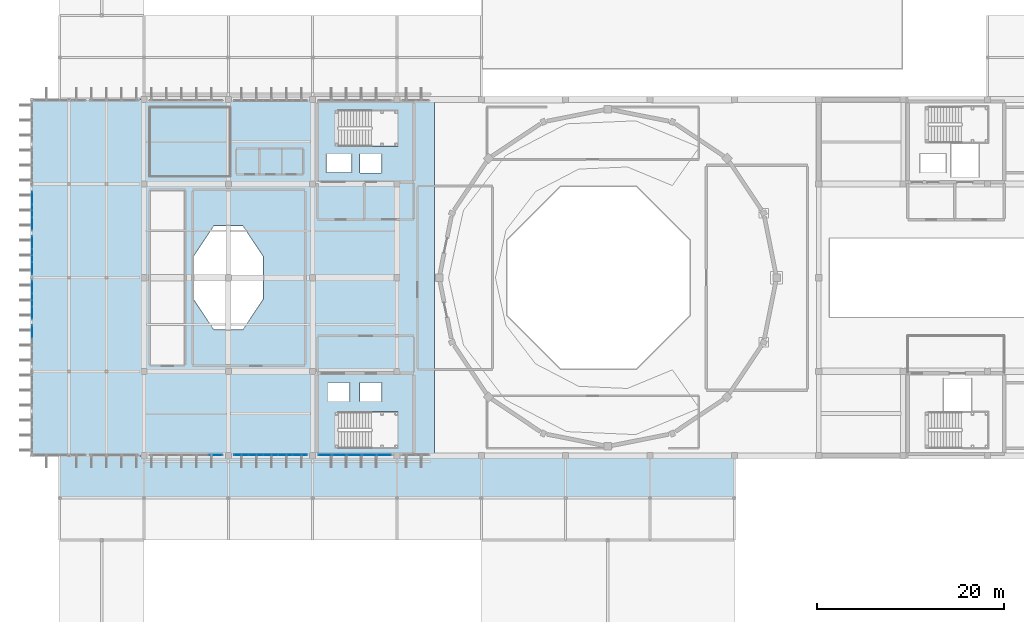
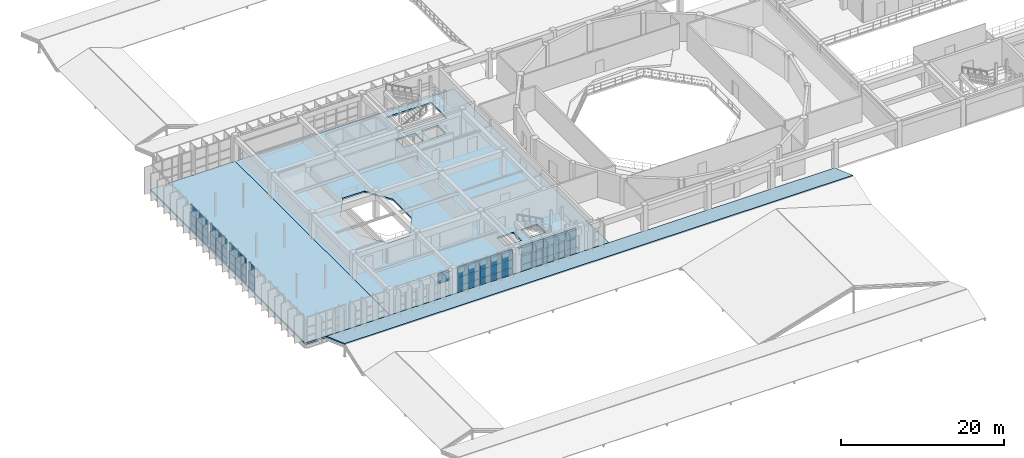
# One storey, part 61 of 80: 61 plates, 3 slabs, 7 elements without a shape of their own.
"""IFC4 building model written with IfcOpenShell, lengths in metres."""

from ifc_helpers import new_model, si_unit, direction, frame, origin, origin_2d, place, context, subcontext, project, spatial, polyline, rectangle, outline, extrude, material, layer, layer_set, type_object, element, aggregate, save


model = new_model("IFC4")

# Units and contexts
model_context = context("Model", 3, precision=1e-05, world=origin(), true_north=direction((0.0, 1.0)))
body_context = subcontext(model_context, "Body", "Model", "MODEL_VIEW")
ifc_project = project(units=[si_unit("LENGTHUNIT", "METRE"), si_unit("AREAUNIT", "SQUARE_METRE"), si_unit("VOLUMEUNIT", "CUBIC_METRE"), si_unit("PLANEANGLEUNIT", "RADIAN"), si_unit("MASSUNIT", "GRAM", prefix="KILO")], contexts=[model_context])

# Site, building, storey
site_placement = place(None, origin())
site = spatial("IfcSite", under=ifc_project, at=site_placement, CompositionType="ELEMENT")
building_placement = place(site_placement, origin())
building = spatial("IfcBuilding", under=site, at=building_placement, Name="Miravela Opera House", CompositionType="ELEMENT")
storey_placement = place(building_placement, frame((0.0, 0.0, 17.679931640625)))
storey = spatial("IfcBuildingStorey", under=building, at=storey_placement, Name="L04", CompositionType="ELEMENT", Elevation=17.679931640625)

# Curtain wall, plates
ifc_material_1 = material(Name="Anodised architectural bronze aluminium 6063-T6", Category="aluminium")
curtain_wall_type = type_object("IfcCurtainWallType", Name="ARC-CW-02", PredefinedType="NOTDEFINED", material=ifc_material_1)
curtain_wall_1_placement = place(storey_placement, origin())
curtain_wall_1 = element("IfcCurtainWall", 1, at=curtain_wall_1_placement, inside=storey, type_object=curtain_wall_type, Name="Cantilever West Wrapper Glazing B3 CW-L04-029", PredefinedType="NOTDEFINED")
ifc_material_2 = material(Name="Triple-glazed acoustic laminated low-E glass", Category="glass")
ifc_layer_1 = layer(ifc_material_2, 0.035888671875)
ifc_layer_set_1 = layer_set([ifc_layer_1])
plate_type = type_object("IfcPlateType", Name="ARC-CWP-36", PredefinedType="CURTAIN_PANEL", material=ifc_layer_set_1)
plate_1_placement = place(storey_placement, frame((15.080078125, 50.25537109375, 0.06494140625), z_axis=(0.0, 0.0, 1.0), x_axis=(0.0, 1.0, 0.0)))
plate_1 = element("IfcPlate", 2, at=plate_1_placement, type_object=plate_type, Name="CW-02 panel 3.1", PredefinedType="CURTAIN_PANEL", context=body_context, shape_type="SweptSolid", body=[
    extrude(rectangle(XDim=1.299072265625, YDim=0.035888671875, at=origin_2d()), origin(), (0.0, 0.0, 1.0), 0.8525390625),
])
plate_2_placement = place(storey_placement, frame((15.080078125, 50.25537109375, 0.982421875), z_axis=(0.0, 0.0, 1.0), x_axis=(0.0, 1.0, 0.0)))
plate_2 = element("IfcPlate", 3, at=plate_2_placement, type_object=plate_type, Name="CW-02 panel 3.2", PredefinedType="CURTAIN_PANEL", context=body_context, shape_type="SweptSolid", body=[
    extrude(rectangle(XDim=1.299072265625, YDim=0.035888671875, at=origin_2d()), origin(), (0.0, 0.0, 1.0), 1.20068359375),
])
plate_3_placement = place(storey_placement, frame((15.080078125, 50.25537109375, 2.248291015625), z_axis=(0.0, 0.0, 1.0), x_axis=(0.0, 1.0, 0.0)))
plate_3 = element("IfcPlate", 4, at=plate_3_placement, type_object=plate_type, Name="CW-02 panel 3.3", PredefinedType="CURTAIN_PANEL", context=body_context, shape_type="SweptSolid", body=[
    extrude(rectangle(XDim=1.299072265625, YDim=0.035888671875, at=origin_2d()), origin(), (0.0, 0.0, 1.0), 1.5068359375),
])
aggregate(curtain_wall_1, [plate_1, plate_2, plate_3])

curtain_wall_2_placement = place(storey_placement, origin())
curtain_wall_2 = element("IfcCurtainWall", 5, at=curtain_wall_2_placement, inside=storey, type_object=curtain_wall_type, Name="Cantilever West Wrapper Glazing B4 CW-L04-030", PredefinedType="NOTDEFINED")
plate_4_placement = place(storey_placement, frame((15.080078125, 52.24462890625, 0.06494140625), z_axis=(0.0, 0.0, 1.0), x_axis=(0.0, 1.0, 0.0)))
plate_4 = element("IfcPlate", 6, at=plate_4_placement, type_object=plate_type, Name="CW-02 panel 1.1", PredefinedType="CURTAIN_PANEL", context=body_context, shape_type="SweptSolid", body=[
    extrude(rectangle(XDim=1.299072265625, YDim=0.035888671875, at=origin_2d()), origin(), (0.0, 0.0, 1.0), 0.8525390625),
])
plate_5_placement = place(storey_placement, frame((15.080078125, 52.24462890625, 0.982421875), z_axis=(0.0, 0.0, 1.0), x_axis=(0.0, 1.0, 0.0)))
plate_5 = element("IfcPlate", 7, at=plate_5_placement, type_object=plate_type, Name="CW-02 panel 1.2", PredefinedType="CURTAIN_PANEL", context=body_context, shape_type="SweptSolid", body=[
    extrude(rectangle(XDim=1.299072265625, YDim=0.035888671875, at=origin_2d()), origin(), (0.0, 0.0, 1.0), 1.20068359375),
])
plate_6_placement = place(storey_placement, frame((15.080078125, 52.24462890625, 2.248291015625), z_axis=(0.0, 0.0, 1.0), x_axis=(0.0, 1.0, 0.0)))
plate_6 = element("IfcPlate", 8, at=plate_6_placement, type_object=plate_type, Name="CW-02 panel 1.3", PredefinedType="CURTAIN_PANEL", context=body_context, shape_type="SweptSolid", body=[
    extrude(rectangle(XDim=1.299072265625, YDim=0.035888671875, at=origin_2d()), origin(), (0.0, 0.0, 1.0), 1.5068359375),
])
plate_7_placement = place(storey_placement, frame((15.080078125, 53.625, 0.06494140625), z_axis=(0.0, 0.0, 1.0), x_axis=(0.0, 1.0, 0.0)))
plate_7 = element("IfcPlate", 9, at=plate_7_placement, type_object=plate_type, Name="CW-02 panel 2.1", PredefinedType="CURTAIN_PANEL", context=body_context, shape_type="SweptSolid", body=[
    extrude(rectangle(XDim=1.331787109375, YDim=0.035888671875, at=origin_2d()), origin(), (0.0, 0.0, 1.0), 0.8525390625),
])
plate_8_placement = place(storey_placement, frame((15.080078125, 53.625, 0.982421875), z_axis=(0.0, 0.0, 1.0), x_axis=(0.0, 1.0, 0.0)))
plate_8 = element("IfcPlate", 10, at=plate_8_placement, type_object=plate_type, Name="CW-02 panel 2.2", PredefinedType="CURTAIN_PANEL", context=body_context, shape_type="SweptSolid", body=[
    extrude(rectangle(XDim=1.331787109375, YDim=0.035888671875, at=origin_2d()), origin(), (0.0, 0.0, 1.0), 1.20068359375),
])
plate_9_placement = place(storey_placement, frame((15.080078125, 53.625, 2.248291015625), z_axis=(0.0, 0.0, 1.0), x_axis=(0.0, 1.0, 0.0)))
plate_9 = element("IfcPlate", 11, at=plate_9_placement, type_object=plate_type, Name="CW-02 panel 2.3", PredefinedType="CURTAIN_PANEL", context=body_context, shape_type="SweptSolid", body=[
    extrude(rectangle(XDim=1.331787109375, YDim=0.035888671875, at=origin_2d()), origin(), (0.0, 0.0, 1.0), 1.5068359375),
])
plate_10_placement = place(storey_placement, frame((15.080078125, 55.00537109375, 0.06494140625), z_axis=(0.0, 0.0, 1.0), x_axis=(0.0, 1.0, 0.0)))
plate_10 = element("IfcPlate", 12, at=plate_10_placement, type_object=plate_type, Name="CW-02 panel 3.1", PredefinedType="CURTAIN_PANEL", context=body_context, shape_type="SweptSolid", body=[
    extrude(rectangle(XDim=1.299072265625, YDim=0.035888671875, at=origin_2d()), origin(), (0.0, 0.0, 1.0), 0.8525390625),
])
plate_11_placement = place(storey_placement, frame((15.080078125, 55.00537109375, 0.982421875), z_axis=(0.0, 0.0, 1.0), x_axis=(0.0, 1.0, 0.0)))
plate_11 = element("IfcPlate", 13, at=plate_11_placement, type_object=plate_type, Name="CW-02 panel 3.2", PredefinedType="CURTAIN_PANEL", context=body_context, shape_type="SweptSolid", body=[
    extrude(rectangle(XDim=1.299072265625, YDim=0.035888671875, at=origin_2d()), origin(), (0.0, 0.0, 1.0), 1.20068359375),
])
plate_12_placement = place(storey_placement, frame((15.080078125, 55.00537109375, 2.248291015625), z_axis=(0.0, 0.0, 1.0), x_axis=(0.0, 1.0, 0.0)))
plate_12 = element("IfcPlate", 14, at=plate_12_placement, type_object=plate_type, Name="CW-02 panel 3.3", PredefinedType="CURTAIN_PANEL", context=body_context, shape_type="SweptSolid", body=[
    extrude(rectangle(XDim=1.299072265625, YDim=0.035888671875, at=origin_2d()), origin(), (0.0, 0.0, 1.0), 1.5068359375),
])
aggregate(curtain_wall_2, [plate_4, plate_5, plate_6, plate_7, plate_8, plate_9, plate_10, plate_11, plate_12])

curtain_wall_3_placement = place(storey_placement, origin())
curtain_wall_3 = element("IfcCurtainWall", 15, at=curtain_wall_3_placement, inside=storey, type_object=curtain_wall_type, Name="Cantilever West Wrapper Glazing B5 CW-L04-031", PredefinedType="NOTDEFINED")
plate_13_placement = place(storey_placement, frame((15.080078125, 56.99462890625, 0.06494140625), z_axis=(0.0, 0.0, 1.0), x_axis=(0.0, 1.0, 0.0)))
plate_13 = element("IfcPlate", 16, at=plate_13_placement, type_object=plate_type, Name="CW-02 panel 1.1", PredefinedType="CURTAIN_PANEL", context=body_context, shape_type="SweptSolid", body=[
    extrude(rectangle(XDim=1.299072265625, YDim=0.035888671875, at=origin_2d()), origin(), (0.0, 0.0, 1.0), 0.8525390625),
])
plate_14_placement = place(storey_placement, frame((15.080078125, 56.99462890625, 0.982421875), z_axis=(0.0, 0.0, 1.0), x_axis=(0.0, 1.0, 0.0)))
plate_14 = element("IfcPlate", 17, at=plate_14_placement, type_object=plate_type, Name="CW-02 panel 1.2", PredefinedType="CURTAIN_PANEL", context=body_context, shape_type="SweptSolid", body=[
    extrude(rectangle(XDim=1.299072265625, YDim=0.035888671875, at=origin_2d()), origin(), (0.0, 0.0, 1.0), 1.20068359375),
])
plate_15_placement = place(storey_placement, frame((15.080078125, 56.99462890625, 2.248291015625), z_axis=(0.0, 0.0, 1.0), x_axis=(0.0, 1.0, 0.0)))
plate_15 = element("IfcPlate", 18, at=plate_15_placement, type_object=plate_type, Name="CW-02 panel 1.3", PredefinedType="CURTAIN_PANEL", context=body_context, shape_type="SweptSolid", body=[
    extrude(rectangle(XDim=1.299072265625, YDim=0.035888671875, at=origin_2d()), origin(), (0.0, 0.0, 1.0), 1.5068359375),
])
plate_16_placement = place(storey_placement, frame((15.080078125, 58.375, 0.06494140625), z_axis=(0.0, 0.0, 1.0), x_axis=(0.0, 1.0, 0.0)))
plate_16 = element("IfcPlate", 19, at=plate_16_placement, type_object=plate_type, Name="CW-02 panel 2.1", PredefinedType="CURTAIN_PANEL", context=body_context, shape_type="SweptSolid", body=[
    extrude(rectangle(XDim=1.331787109375, YDim=0.035888671875, at=origin_2d()), origin(), (0.0, 0.0, 1.0), 0.8525390625),
])
plate_17_placement = place(storey_placement, frame((15.080078125, 58.375, 0.982421875), z_axis=(0.0, 0.0, 1.0), x_axis=(0.0, 1.0, 0.0)))
plate_17 = element("IfcPlate", 20, at=plate_17_placement, type_object=plate_type, Name="CW-02 panel 2.2", PredefinedType="CURTAIN_PANEL", context=body_context, shape_type="SweptSolid", body=[
    extrude(rectangle(XDim=1.331787109375, YDim=0.035888671875, at=origin_2d()), origin(), (0.0, 0.0, 1.0), 1.20068359375),
])
plate_18_placement = place(storey_placement, frame((15.080078125, 58.375, 2.248291015625), z_axis=(0.0, 0.0, 1.0), x_axis=(0.0, 1.0, 0.0)))
plate_18 = element("IfcPlate", 21, at=plate_18_placement, type_object=plate_type, Name="CW-02 panel 2.3", PredefinedType="CURTAIN_PANEL", context=body_context, shape_type="SweptSolid", body=[
    extrude(rectangle(XDim=1.331787109375, YDim=0.035888671875, at=origin_2d()), origin(), (0.0, 0.0, 1.0), 1.5068359375),
])
plate_19_placement = place(storey_placement, frame((15.080078125, 59.75537109375, 0.06494140625), z_axis=(0.0, 0.0, 1.0), x_axis=(0.0, 1.0, 0.0)))
plate_19 = element("IfcPlate", 22, at=plate_19_placement, type_object=plate_type, Name="CW-02 panel 3.1", PredefinedType="CURTAIN_PANEL", context=body_context, shape_type="SweptSolid", body=[
    extrude(rectangle(XDim=1.299072265625, YDim=0.035888671875, at=origin_2d()), origin(), (0.0, 0.0, 1.0), 0.8525390625),
])
plate_20_placement = place(storey_placement, frame((15.080078125, 59.75537109375, 0.982421875), z_axis=(0.0, 0.0, 1.0), x_axis=(0.0, 1.0, 0.0)))
plate_20 = element("IfcPlate", 23, at=plate_20_placement, type_object=plate_type, Name="CW-02 panel 3.2", PredefinedType="CURTAIN_PANEL", context=body_context, shape_type="SweptSolid", body=[
    extrude(rectangle(XDim=1.299072265625, YDim=0.035888671875, at=origin_2d()), origin(), (0.0, 0.0, 1.0), 1.20068359375),
])
plate_21_placement = place(storey_placement, frame((15.080078125, 59.75537109375, 2.248291015625), z_axis=(0.0, 0.0, 1.0), x_axis=(0.0, 1.0, 0.0)))
plate_21 = element("IfcPlate", 24, at=plate_21_placement, type_object=plate_type, Name="CW-02 panel 3.3", PredefinedType="CURTAIN_PANEL", context=body_context, shape_type="SweptSolid", body=[
    extrude(rectangle(XDim=1.299072265625, YDim=0.035888671875, at=origin_2d()), origin(), (0.0, 0.0, 1.0), 1.5068359375),
])
aggregate(curtain_wall_3, [plate_13, plate_14, plate_15, plate_16, plate_17, plate_18, plate_19, plate_20, plate_21])

curtain_wall_4_placement = place(storey_placement, origin())
curtain_wall_4 = element("IfcCurtainWall", 25, at=curtain_wall_4_placement, inside=storey, type_object=curtain_wall_type, Name="Cantilever West Wrapper Glazing B6 CW-L04-032", PredefinedType="NOTDEFINED")
plate_22_placement = place(storey_placement, frame((15.080078125, 61.74462890625, 0.06494140625), z_axis=(0.0, 0.0, 1.0), x_axis=(0.0, 1.0, 0.0)))
plate_22 = element("IfcPlate", 26, at=plate_22_placement, type_object=plate_type, Name="CW-02 panel 1.1", PredefinedType="CURTAIN_PANEL", context=body_context, shape_type="SweptSolid", body=[
    extrude(rectangle(XDim=1.299072265625, YDim=0.035888671875, at=origin_2d()), origin(), (0.0, 0.0, 1.0), 0.8525390625),
])
plate_23_placement = place(storey_placement, frame((15.080078125, 61.74462890625, 0.982421875), z_axis=(0.0, 0.0, 1.0), x_axis=(0.0, 1.0, 0.0)))
plate_23 = element("IfcPlate", 27, at=plate_23_placement, type_object=plate_type, Name="CW-02 panel 1.2", PredefinedType="CURTAIN_PANEL", context=body_context, shape_type="SweptSolid", body=[
    extrude(rectangle(XDim=1.299072265625, YDim=0.035888671875, at=origin_2d()), origin(), (0.0, 0.0, 1.0), 1.20068359375),
])
plate_24_placement = place(storey_placement, frame((15.080078125, 61.74462890625, 2.248291015625), z_axis=(0.0, 0.0, 1.0), x_axis=(0.0, 1.0, 0.0)))
plate_24 = element("IfcPlate", 28, at=plate_24_placement, type_object=plate_type, Name="CW-02 panel 1.3", PredefinedType="CURTAIN_PANEL", context=body_context, shape_type="SweptSolid", body=[
    extrude(rectangle(XDim=1.299072265625, YDim=0.035888671875, at=origin_2d()), origin(), (0.0, 0.0, 1.0), 1.5068359375),
])
plate_25_placement = place(storey_placement, frame((15.080078125, 63.125, 0.06494140625), z_axis=(0.0, 0.0, 1.0), x_axis=(0.0, 1.0, 0.0)))
plate_25 = element("IfcPlate", 29, at=plate_25_placement, type_object=plate_type, Name="CW-02 panel 2.1", PredefinedType="CURTAIN_PANEL", context=body_context, shape_type="SweptSolid", body=[
    extrude(rectangle(XDim=1.331787109375, YDim=0.035888671875, at=origin_2d()), origin(), (0.0, 0.0, 1.0), 0.8525390625),
])
plate_26_placement = place(storey_placement, frame((15.080078125, 63.125, 0.982421875), z_axis=(0.0, 0.0, 1.0), x_axis=(0.0, 1.0, 0.0)))
plate_26 = element("IfcPlate", 30, at=plate_26_placement, type_object=plate_type, Name="CW-02 panel 2.2", PredefinedType="CURTAIN_PANEL", context=body_context, shape_type="SweptSolid", body=[
    extrude(rectangle(XDim=1.331787109375, YDim=0.035888671875, at=origin_2d()), origin(), (0.0, 0.0, 1.0), 1.20068359375),
])
plate_27_placement = place(storey_placement, frame((15.080078125, 63.125, 2.248291015625), z_axis=(0.0, 0.0, 1.0), x_axis=(0.0, 1.0, 0.0)))
plate_27 = element("IfcPlate", 31, at=plate_27_placement, type_object=plate_type, Name="CW-02 panel 2.3", PredefinedType="CURTAIN_PANEL", context=body_context, shape_type="SweptSolid", body=[
    extrude(rectangle(XDim=1.331787109375, YDim=0.035888671875, at=origin_2d()), origin(), (0.0, 0.0, 1.0), 1.5068359375),
])
plate_28_placement = place(storey_placement, frame((15.080078125, 64.50537109375, 0.06494140625), z_axis=(0.0, 0.0, 1.0), x_axis=(0.0, 1.0, 0.0)))
plate_28 = element("IfcPlate", 32, at=plate_28_placement, type_object=plate_type, Name="CW-02 panel 3.1", PredefinedType="CURTAIN_PANEL", context=body_context, shape_type="SweptSolid", body=[
    extrude(rectangle(XDim=1.299072265625, YDim=0.035888671875, at=origin_2d()), origin(), (0.0, 0.0, 1.0), 0.8525390625),
])
plate_29_placement = place(storey_placement, frame((15.080078125, 64.50537109375, 0.982421875), z_axis=(0.0, 0.0, 1.0), x_axis=(0.0, 1.0, 0.0)))
plate_29 = element("IfcPlate", 33, at=plate_29_placement, type_object=plate_type, Name="CW-02 panel 3.2", PredefinedType="CURTAIN_PANEL", context=body_context, shape_type="SweptSolid", body=[
    extrude(rectangle(XDim=1.299072265625, YDim=0.035888671875, at=origin_2d()), origin(), (0.0, 0.0, 1.0), 1.20068359375),
])
plate_30_placement = place(storey_placement, frame((15.080078125, 64.50537109375, 2.248291015625), z_axis=(0.0, 0.0, 1.0), x_axis=(0.0, 1.0, 0.0)))
plate_30 = element("IfcPlate", 34, at=plate_30_placement, type_object=plate_type, Name="CW-02 panel 3.3", PredefinedType="CURTAIN_PANEL", context=body_context, shape_type="SweptSolid", body=[
    extrude(rectangle(XDim=1.299072265625, YDim=0.035888671875, at=origin_2d()), origin(), (0.0, 0.0, 1.0), 1.5068359375),
])
aggregate(curtain_wall_4, [plate_22, plate_23, plate_24, plate_25, plate_26, plate_27, plate_28, plate_29, plate_30])

# Curtain wall, plate
curtain_wall_5_placement = place(storey_placement, origin())
curtain_wall_5 = element("IfcCurtainWall", 35, at=curtain_wall_5_placement, inside=storey, type_object=curtain_wall_type, Name="Auditorium South Wrapper Glazing CW-L04-040", PredefinedType="NOTDEFINED")
plate_31_placement = place(storey_placement, frame((34.61962890625, 37.080078125, 2.248291015625), z_axis=(0.0, 0.0, 1.0), x_axis=(1.0, 0.0, 0.0)))
plate_31 = element("IfcPlate", 36, at=plate_31_placement, type_object=plate_type, Name="CW-02 panel 5.3", PredefinedType="CURTAIN_PANEL", context=body_context, shape_type="SweptSolid", body=[
    extrude(rectangle(XDim=1.470458984375, YDim=0.035888671875, at=origin_2d()), origin(), (0.0, 0.0, 1.0), 1.5068359375),
])
aggregate(curtain_wall_5, [plate_31])

# Curtain wall, plates
curtain_wall_6_placement = place(storey_placement, origin())
curtain_wall_6 = element("IfcCurtainWall", 37, at=curtain_wall_6_placement, inside=storey, type_object=curtain_wall_type, Name="Auditorium South Wrapper Glazing CW-L04-042", PredefinedType="NOTDEFINED")
plate_32_placement = place(storey_placement, frame((37.38037109375, 37.080078125, 0.06494140625), z_axis=(0.0, 0.0, 1.0), x_axis=(1.0, 0.0, 0.0)))
plate_32 = element("IfcPlate", 38, at=plate_32_placement, type_object=plate_type, Name="CW-02 panel 1.1", PredefinedType="CURTAIN_PANEL", context=body_context, shape_type="SweptSolid", body=[
    extrude(rectangle(XDim=1.470458984375, YDim=0.035888671875, at=origin_2d()), origin(), (0.0, 0.0, 1.0), 0.8525390625),
])
plate_33_placement = place(storey_placement, frame((37.38037109375, 37.080078125, 0.982421875), z_axis=(0.0, 0.0, 1.0), x_axis=(1.0, 0.0, 0.0)))
plate_33 = element("IfcPlate", 39, at=plate_33_placement, type_object=plate_type, Name="CW-02 panel 1.2", PredefinedType="CURTAIN_PANEL", context=body_context, shape_type="SweptSolid", body=[
    extrude(rectangle(XDim=1.470458984375, YDim=0.035888671875, at=origin_2d()), origin(), (0.0, 0.0, 1.0), 1.20068359375),
])
plate_34_placement = place(storey_placement, frame((37.38037109375, 37.080078125, 2.248291015625), z_axis=(0.0, 0.0, 1.0), x_axis=(1.0, 0.0, 0.0)))
plate_34 = element("IfcPlate", 40, at=plate_34_placement, type_object=plate_type, Name="CW-02 panel 1.3", PredefinedType="CURTAIN_PANEL", context=body_context, shape_type="SweptSolid", body=[
    extrude(rectangle(XDim=1.470458984375, YDim=0.035888671875, at=origin_2d()), origin(), (0.0, 0.0, 1.0), 1.5068359375),
])
plate_35_placement = place(storey_placement, frame((38.931884765625, 37.080078125, 0.06494140625), z_axis=(0.0, 0.0, 1.0), x_axis=(1.0, 0.0, 0.0)))
plate_35 = element("IfcPlate", 41, at=plate_35_placement, type_object=plate_type, Name="CW-02 panel 2.1", PredefinedType="CURTAIN_PANEL", context=body_context, shape_type="SweptSolid", body=[
    extrude(rectangle(XDim=1.5029296875, YDim=0.035888671875, at=origin_2d()), origin(), (0.0, 0.0, 1.0), 0.8525390625),
])
plate_36_placement = place(storey_placement, frame((38.931884765625, 37.080078125, 0.982421875), z_axis=(0.0, 0.0, 1.0), x_axis=(1.0, 0.0, 0.0)))
plate_36 = element("IfcPlate", 42, at=plate_36_placement, type_object=plate_type, Name="CW-02 panel 2.2", PredefinedType="CURTAIN_PANEL", context=body_context, shape_type="SweptSolid", body=[
    extrude(rectangle(XDim=1.5029296875, YDim=0.035888671875, at=origin_2d()), origin(), (0.0, 0.0, 1.0), 1.20068359375),
])
plate_37_placement = place(storey_placement, frame((38.931884765625, 37.080078125, 2.248291015625), z_axis=(0.0, 0.0, 1.0), x_axis=(1.0, 0.0, 0.0)))
plate_37 = element("IfcPlate", 43, at=plate_37_placement, type_object=plate_type, Name="CW-02 panel 2.3", PredefinedType="CURTAIN_PANEL", context=body_context, shape_type="SweptSolid", body=[
    extrude(rectangle(XDim=1.5029296875, YDim=0.035888671875, at=origin_2d()), origin(), (0.0, 0.0, 1.0), 1.5068359375),
])
plate_38_placement = place(storey_placement, frame((40.5, 37.080078125, 0.06494140625), z_axis=(0.0, 0.0, 1.0), x_axis=(1.0, 0.0, 0.0)))
plate_38 = element("IfcPlate", 44, at=plate_38_placement, type_object=plate_type, Name="CW-02 panel 3.1", PredefinedType="CURTAIN_PANEL", context=body_context, shape_type="SweptSolid", body=[
    extrude(rectangle(XDim=1.5029296875, YDim=0.035888671875, at=origin_2d()), origin(), (0.0, 0.0, 1.0), 0.8525390625),
])
plate_39_placement = place(storey_placement, frame((40.5, 37.080078125, 0.982421875), z_axis=(0.0, 0.0, 1.0), x_axis=(1.0, 0.0, 0.0)))
plate_39 = element("IfcPlate", 45, at=plate_39_placement, type_object=plate_type, Name="CW-02 panel 3.2", PredefinedType="CURTAIN_PANEL", context=body_context, shape_type="SweptSolid", body=[
    extrude(rectangle(XDim=1.5029296875, YDim=0.035888671875, at=origin_2d()), origin(), (0.0, 0.0, 1.0), 1.20068359375),
])
plate_40_placement = place(storey_placement, frame((40.5, 37.080078125, 2.248291015625), z_axis=(0.0, 0.0, 1.0), x_axis=(1.0, 0.0, 0.0)))
plate_40 = element("IfcPlate", 46, at=plate_40_placement, type_object=plate_type, Name="CW-02 panel 3.3", PredefinedType="CURTAIN_PANEL", context=body_context, shape_type="SweptSolid", body=[
    extrude(rectangle(XDim=1.5029296875, YDim=0.035888671875, at=origin_2d()), origin(), (0.0, 0.0, 1.0), 1.5068359375),
])
plate_41_placement = place(storey_placement, frame((42.068115234375, 37.080078125, 0.06494140625), z_axis=(0.0, 0.0, 1.0), x_axis=(1.0, 0.0, 0.0)))
plate_41 = element("IfcPlate", 47, at=plate_41_placement, type_object=plate_type, Name="CW-02 panel 4.1", PredefinedType="CURTAIN_PANEL", context=body_context, shape_type="SweptSolid", body=[
    extrude(rectangle(XDim=1.5029296875, YDim=0.035888671875, at=origin_2d()), origin(), (0.0, 0.0, 1.0), 0.8525390625),
])
plate_42_placement = place(storey_placement, frame((42.068115234375, 37.080078125, 0.982421875), z_axis=(0.0, 0.0, 1.0), x_axis=(1.0, 0.0, 0.0)))
plate_42 = element("IfcPlate", 48, at=plate_42_placement, type_object=plate_type, Name="CW-02 panel 4.2", PredefinedType="CURTAIN_PANEL", context=body_context, shape_type="SweptSolid", body=[
    extrude(rectangle(XDim=1.5029296875, YDim=0.035888671875, at=origin_2d()), origin(), (0.0, 0.0, 1.0), 1.20068359375),
])
plate_43_placement = place(storey_placement, frame((42.068115234375, 37.080078125, 2.248291015625), z_axis=(0.0, 0.0, 1.0), x_axis=(1.0, 0.0, 0.0)))
plate_43 = element("IfcPlate", 49, at=plate_43_placement, type_object=plate_type, Name="CW-02 panel 4.3", PredefinedType="CURTAIN_PANEL", context=body_context, shape_type="SweptSolid", body=[
    extrude(rectangle(XDim=1.5029296875, YDim=0.035888671875, at=origin_2d()), origin(), (0.0, 0.0, 1.0), 1.5068359375),
])
plate_44_placement = place(storey_placement, frame((43.61962890625, 37.080078125, 0.06494140625), z_axis=(0.0, 0.0, 1.0), x_axis=(1.0, 0.0, 0.0)))
plate_44 = element("IfcPlate", 50, at=plate_44_placement, type_object=plate_type, Name="CW-02 panel 5.1", PredefinedType="CURTAIN_PANEL", context=body_context, shape_type="SweptSolid", body=[
    extrude(rectangle(XDim=1.470458984375, YDim=0.035888671875, at=origin_2d()), origin(), (0.0, 0.0, 1.0), 0.8525390625),
])
plate_45_placement = place(storey_placement, frame((43.61962890625, 37.080078125, 0.982421875), z_axis=(0.0, 0.0, 1.0), x_axis=(1.0, 0.0, 0.0)))
plate_45 = element("IfcPlate", 51, at=plate_45_placement, type_object=plate_type, Name="CW-02 panel 5.2", PredefinedType="CURTAIN_PANEL", context=body_context, shape_type="SweptSolid", body=[
    extrude(rectangle(XDim=1.470458984375, YDim=0.035888671875, at=origin_2d()), origin(), (0.0, 0.0, 1.0), 1.20068359375),
])
plate_46_placement = place(storey_placement, frame((43.61962890625, 37.080078125, 2.248291015625), z_axis=(0.0, 0.0, 1.0), x_axis=(1.0, 0.0, 0.0)))
plate_46 = element("IfcPlate", 52, at=plate_46_placement, type_object=plate_type, Name="CW-02 panel 5.3", PredefinedType="CURTAIN_PANEL", context=body_context, shape_type="SweptSolid", body=[
    extrude(rectangle(XDim=1.470458984375, YDim=0.035888671875, at=origin_2d()), origin(), (0.0, 0.0, 1.0), 1.5068359375),
])
aggregate(curtain_wall_6, [plate_32, plate_33, plate_34, plate_35, plate_36, plate_37, plate_38, plate_39, plate_40, plate_41, plate_42, plate_43, plate_44, plate_45, plate_46])

curtain_wall_7_placement = place(storey_placement, origin())
curtain_wall_7 = element("IfcCurtainWall", 53, at=curtain_wall_7_placement, inside=storey, type_object=curtain_wall_type, Name="Auditorium South Wrapper Glazing CW-L04-044", PredefinedType="NOTDEFINED")
plate_47_placement = place(storey_placement, frame((46.38037109375, 37.080078125, 0.06494140625), z_axis=(0.0, 0.0, 1.0), x_axis=(1.0, 0.0, 0.0)))
plate_47 = element("IfcPlate", 54, at=plate_47_placement, type_object=plate_type, Name="CW-02 panel 1.1", PredefinedType="CURTAIN_PANEL", context=body_context, shape_type="SweptSolid", body=[
    extrude(rectangle(XDim=1.470458984375, YDim=0.035888671875, at=origin_2d()), origin(), (0.0, 0.0, 1.0), 0.8525390625),
])
plate_48_placement = place(storey_placement, frame((46.38037109375, 37.080078125, 0.982421875), z_axis=(0.0, 0.0, 1.0), x_axis=(1.0, 0.0, 0.0)))
plate_48 = element("IfcPlate", 55, at=plate_48_placement, type_object=plate_type, Name="CW-02 panel 1.2", PredefinedType="CURTAIN_PANEL", context=body_context, shape_type="SweptSolid", body=[
    extrude(rectangle(XDim=1.470458984375, YDim=0.035888671875, at=origin_2d()), origin(), (0.0, 0.0, 1.0), 1.20068359375),
])
plate_49_placement = place(storey_placement, frame((46.38037109375, 37.080078125, 2.248291015625), z_axis=(0.0, 0.0, 1.0), x_axis=(1.0, 0.0, 0.0)))
plate_49 = element("IfcPlate", 56, at=plate_49_placement, type_object=plate_type, Name="CW-02 panel 1.3", PredefinedType="CURTAIN_PANEL", context=body_context, shape_type="SweptSolid", body=[
    extrude(rectangle(XDim=1.470458984375, YDim=0.035888671875, at=origin_2d()), origin(), (0.0, 0.0, 1.0), 1.5068359375),
])
plate_50_placement = place(storey_placement, frame((47.931884765625, 37.080078125, 0.06494140625), z_axis=(0.0, 0.0, 1.0), x_axis=(1.0, 0.0, 0.0)))
plate_50 = element("IfcPlate", 57, at=plate_50_placement, type_object=plate_type, Name="CW-02 panel 2.1", PredefinedType="CURTAIN_PANEL", context=body_context, shape_type="SweptSolid", body=[
    extrude(rectangle(XDim=1.5029296875, YDim=0.035888671875, at=origin_2d()), origin(), (0.0, 0.0, 1.0), 0.8525390625),
])
plate_51_placement = place(storey_placement, frame((47.931884765625, 37.080078125, 0.982421875), z_axis=(0.0, 0.0, 1.0), x_axis=(1.0, 0.0, 0.0)))
plate_51 = element("IfcPlate", 58, at=plate_51_placement, type_object=plate_type, Name="CW-02 panel 2.2", PredefinedType="CURTAIN_PANEL", context=body_context, shape_type="SweptSolid", body=[
    extrude(rectangle(XDim=1.5029296875, YDim=0.035888671875, at=origin_2d()), origin(), (0.0, 0.0, 1.0), 1.20068359375),
])
plate_52_placement = place(storey_placement, frame((47.931884765625, 37.080078125, 2.248291015625), z_axis=(0.0, 0.0, 1.0), x_axis=(1.0, 0.0, 0.0)))
plate_52 = element("IfcPlate", 59, at=plate_52_placement, type_object=plate_type, Name="CW-02 panel 2.3", PredefinedType="CURTAIN_PANEL", context=body_context, shape_type="SweptSolid", body=[
    extrude(rectangle(XDim=1.5029296875, YDim=0.035888671875, at=origin_2d()), origin(), (0.0, 0.0, 1.0), 1.5068359375),
])
plate_53_placement = place(storey_placement, frame((49.5, 37.080078125, 0.06494140625), z_axis=(0.0, 0.0, 1.0), x_axis=(1.0, 0.0, 0.0)))
plate_53 = element("IfcPlate", 60, at=plate_53_placement, type_object=plate_type, Name="CW-02 panel 3.1", PredefinedType="CURTAIN_PANEL", context=body_context, shape_type="SweptSolid", body=[
    extrude(rectangle(XDim=1.5029296875, YDim=0.035888671875, at=origin_2d()), origin(), (0.0, 0.0, 1.0), 0.8525390625),
])
plate_54_placement = place(storey_placement, frame((49.5, 37.080078125, 0.982421875), z_axis=(0.0, 0.0, 1.0), x_axis=(1.0, 0.0, 0.0)))
plate_54 = element("IfcPlate", 61, at=plate_54_placement, type_object=plate_type, Name="CW-02 panel 3.2", PredefinedType="CURTAIN_PANEL", context=body_context, shape_type="SweptSolid", body=[
    extrude(rectangle(XDim=1.5029296875, YDim=0.035888671875, at=origin_2d()), origin(), (0.0, 0.0, 1.0), 1.20068359375),
])
plate_55_placement = place(storey_placement, frame((49.5, 37.080078125, 2.248291015625), z_axis=(0.0, 0.0, 1.0), x_axis=(1.0, 0.0, 0.0)))
plate_55 = element("IfcPlate", 62, at=plate_55_placement, type_object=plate_type, Name="CW-02 panel 3.3", PredefinedType="CURTAIN_PANEL", context=body_context, shape_type="SweptSolid", body=[
    extrude(rectangle(XDim=1.5029296875, YDim=0.035888671875, at=origin_2d()), origin(), (0.0, 0.0, 1.0), 1.5068359375),
])
plate_56_placement = place(storey_placement, frame((51.068115234375, 37.080078125, 0.06494140625), z_axis=(0.0, 0.0, 1.0), x_axis=(1.0, 0.0, 0.0)))
plate_56 = element("IfcPlate", 63, at=plate_56_placement, type_object=plate_type, Name="CW-02 panel 4.1", PredefinedType="CURTAIN_PANEL", context=body_context, shape_type="SweptSolid", body=[
    extrude(rectangle(XDim=1.5029296875, YDim=0.035888671875, at=origin_2d()), origin(), (0.0, 0.0, 1.0), 0.8525390625),
])
plate_57_placement = place(storey_placement, frame((51.068115234375, 37.080078125, 0.982421875), z_axis=(0.0, 0.0, 1.0), x_axis=(1.0, 0.0, 0.0)))
plate_57 = element("IfcPlate", 64, at=plate_57_placement, type_object=plate_type, Name="CW-02 panel 4.2", PredefinedType="CURTAIN_PANEL", context=body_context, shape_type="SweptSolid", body=[
    extrude(rectangle(XDim=1.5029296875, YDim=0.035888671875, at=origin_2d()), origin(), (0.0, 0.0, 1.0), 1.20068359375),
])
plate_58_placement = place(storey_placement, frame((51.068115234375, 37.080078125, 2.248291015625), z_axis=(0.0, 0.0, 1.0), x_axis=(1.0, 0.0, 0.0)))
plate_58 = element("IfcPlate", 65, at=plate_58_placement, type_object=plate_type, Name="CW-02 panel 4.3", PredefinedType="CURTAIN_PANEL", context=body_context, shape_type="SweptSolid", body=[
    extrude(rectangle(XDim=1.5029296875, YDim=0.035888671875, at=origin_2d()), origin(), (0.0, 0.0, 1.0), 1.5068359375),
])
plate_59_placement = place(storey_placement, frame((52.61962890625, 37.080078125, 0.06494140625), z_axis=(0.0, 0.0, 1.0), x_axis=(1.0, 0.0, 0.0)))
plate_59 = element("IfcPlate", 66, at=plate_59_placement, type_object=plate_type, Name="CW-02 panel 5.1", PredefinedType="CURTAIN_PANEL", context=body_context, shape_type="SweptSolid", body=[
    extrude(rectangle(XDim=1.470458984375, YDim=0.035888671875, at=origin_2d()), origin(), (0.0, 0.0, 1.0), 0.8525390625),
])
plate_60_placement = place(storey_placement, frame((52.61962890625, 37.080078125, 0.982421875), z_axis=(0.0, 0.0, 1.0), x_axis=(1.0, 0.0, 0.0)))
plate_60 = element("IfcPlate", 67, at=plate_60_placement, type_object=plate_type, Name="CW-02 panel 5.2", PredefinedType="CURTAIN_PANEL", context=body_context, shape_type="SweptSolid", body=[
    extrude(rectangle(XDim=1.470458984375, YDim=0.035888671875, at=origin_2d()), origin(), (0.0, 0.0, 1.0), 1.20068359375),
])
plate_61_placement = place(storey_placement, frame((52.61962890625, 37.080078125, 2.248291015625), z_axis=(0.0, 0.0, 1.0), x_axis=(1.0, 0.0, 0.0)))
plate_61 = element("IfcPlate", 68, at=plate_61_placement, type_object=plate_type, Name="CW-02 panel 5.3", PredefinedType="CURTAIN_PANEL", context=body_context, shape_type="SweptSolid", body=[
    extrude(rectangle(XDim=1.470458984375, YDim=0.035888671875, at=origin_2d()), origin(), (0.0, 0.0, 1.0), 1.5068359375),
])
aggregate(curtain_wall_7, [plate_47, plate_48, plate_49, plate_50, plate_51, plate_52, plate_53, plate_54, plate_55, plate_56, plate_57, plate_58, plate_59, plate_60, plate_61])

# Slabs
ifc_material_3 = material(Name="Concrete C35/45", Category="concrete")
ifc_layer_2 = layer(ifc_material_3, 0.169921875)
ifc_layer_set_2 = layer_set([ifc_layer_2])
slab_type_1 = type_object("IfcSlabType", Name="STR-ROOF-TILE-170", PredefinedType="ROOF", material=ifc_layer_set_2)
slab_1_placement = place(storey_placement, frame((90.0, 37.0, 0.0), z_axis=(0.0, 0.33502804432, 0.942208156152), x_axis=(-1.0, 0.0, 0.0)))
element("IfcSlab", 69, at=slab_1_placement, inside=storey, type_object=slab_type_1, Name="Pitched Clay Barrel-Tile Roof Slab ROOF-V4-WEST-N Slope 2", PredefinedType="ROOF", context=body_context, shape_type="SweptSolid", body=[
    extrude(outline(polyline([(0.0, 0.0), (72.0, 0.0), (72.0, 4.717713734859587), (0.0, 4.717713734859587), (0.0, 0.0)])), origin(), (0.0, 0.0, -1.0), 0.169921875),
])
ifc_layer_3 = layer(ifc_material_3, 0.239990234375)
ifc_layer_set_3 = layer_set([ifc_layer_3])
slab_type_2 = type_object("IfcSlabType", Name="STR-SLAB-FLR-240", PredefinedType="FLOOR", material=ifc_layer_set_3)
slab_2_placement = place(storey_placement, frame((0.0, 0.0, -0.239990234375)))
element("IfcSlab", 70, at=slab_2_placement, inside=storey, type_object=slab_type_2, Name="Level L04 Floor Slab SLAB-L04-V1CANT", PredefinedType="FLOOR", context=body_context, shape_type="SweptSolid", body=[
    extrude(outline(polyline([(15.0, 37.0), (27.0, 37.0), (27.0, 75.0), (15.0, 75.0), (15.0, 37.0)])), origin(), (0.0, 0.0, 1.0), 0.239990234375),
])
slab_3_placement = place(storey_placement, frame((0.0, 0.0, -0.239990234375)))
element("IfcSlab", 71, at=slab_3_placement, inside=storey, type_object=slab_type_2, Name="Level L04 Floor Slab SLAB-L04-V1W", PredefinedType="FLOOR", context=body_context, shape_type="SweptSolid", body=[
    extrude(outline(polyline([(27.0, 37.0), (58.0, 37.0), (58.0, 75.0), (27.0, 75.0), (27.0, 37.0)]), holes=[polyline([(47.739990234375, 70.0), (54.10009765625, 70.0), (54.10009765625, 73.8798828125), (47.739990234375, 73.8798828125), (47.739990234375, 70.0)]), polyline([(47.739990234375, 37.800048828125), (54.10009765625, 37.800048828125), (54.10009765625, 41.679931640625), (47.739990234375, 41.679931640625), (47.739990234375, 37.800048828125)]), polyline([(46.449951171875, 67.22509765625), (49.14990234375, 67.22509765625), (49.14990234375, 69.175048828125), (46.449951171875, 69.175048828125), (46.449951171875, 67.22509765625)]), polyline([(50.050048828125, 67.199951171875), (52.35009765625, 67.199951171875), (52.35009765625, 69.199951171875), (50.050048828125, 69.199951171875), (50.050048828125, 67.199951171875)]), polyline([(46.64990234375, 42.800048828125), (48.949951171875, 42.800048828125), (48.949951171875, 44.800048828125), (46.64990234375, 44.800048828125), (46.64990234375, 42.800048828125)]), polyline([(50.050048828125, 42.800048828125), (52.35009765625, 42.800048828125), (52.35009765625, 44.800048828125), (50.050048828125, 44.800048828125), (50.050048828125, 42.800048828125)]), polyline([(39.695556640625, 58.296142578125), (37.53076171875, 61.543212890625), (34.46923828125, 61.543212890625), (32.304443359375, 58.296142578125), (32.304443359375, 53.703857421875), (34.46923828125, 50.456787109375), (37.53076171875, 50.456787109375), (39.695556640625, 53.703857421875), (39.695556640625, 58.296142578125)])]), origin(), (0.0, 0.0, 1.0), 0.239990234375),
])

save(model, "model.ifc")
